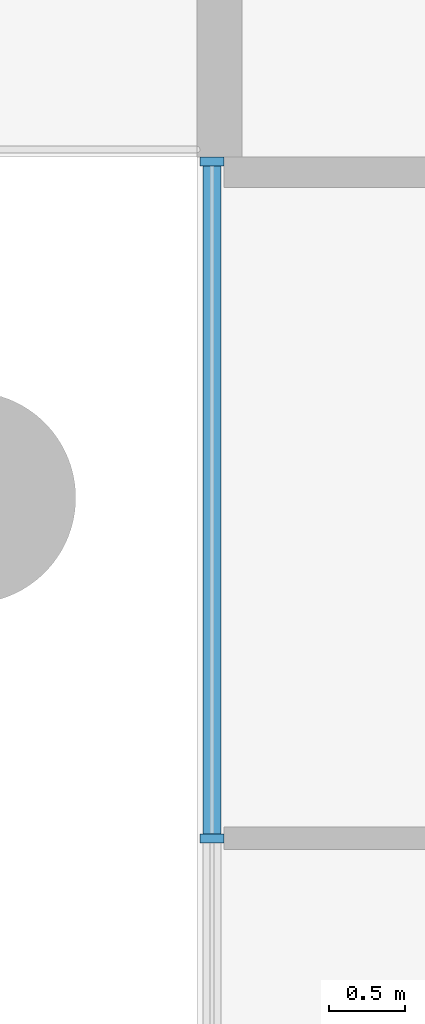
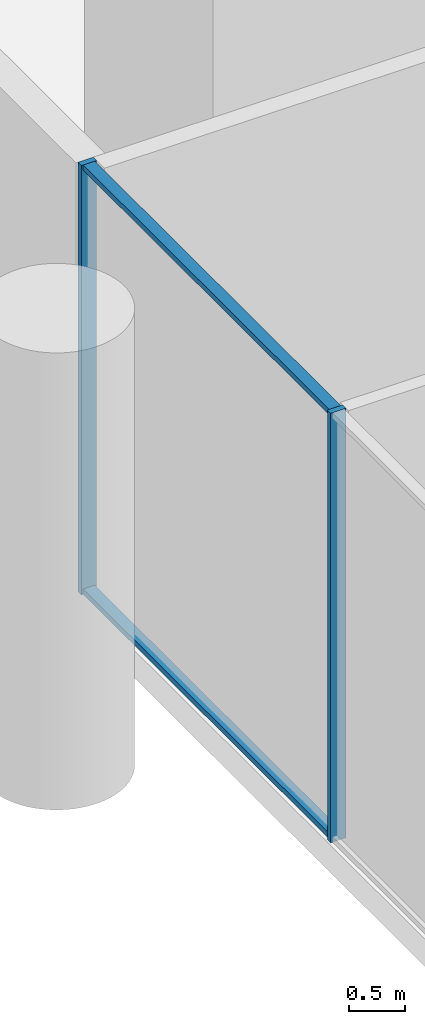
# One storey, part 7 of 22: 4 members, 1 element without a shape of its own.
"""IFC4 building model written with IfcOpenShell, lengths in metres."""

from ifc_helpers import new_model, si_unit, direction, frame, origin, origin_2d, place, context, subcontext, project, spatial, rectangle, extrude, material, layer, layer_set, material_profile, profile_set, type_object, element, aggregate, save


model = new_model("IFC4")

# Units and contexts
model_context = context("Model", 3, precision=1e-05, world=origin(), true_north=direction((0.0, 1.0)))
body_context = subcontext(model_context, "Body", "Model", "MODEL_VIEW")
ifc_project = project(units=[si_unit("LENGTHUNIT", "METRE"), si_unit("AREAUNIT", "SQUARE_METRE"), si_unit("VOLUMEUNIT", "CUBIC_METRE"), si_unit("PLANEANGLEUNIT", "RADIAN"), si_unit("MASSUNIT", "GRAM", prefix="KILO")], contexts=[model_context])

# Site, building, storey
site_placement = place(None, origin())
site = spatial("IfcSite", under=ifc_project, at=site_placement, CompositionType="ELEMENT")
building_placement = place(site_placement, origin())
building = spatial("IfcBuilding", under=site, at=building_placement, Name="Namib Vertical Campus", CompositionType="ELEMENT")
storey_placement = place(building_placement, frame((0.0, 0.0, 11.0)))
storey = spatial("IfcBuildingStorey", under=building, at=storey_placement, Name="L02", CompositionType="ELEMENT", Elevation=11.0)

# Curtain wall, members
ifc_material_1 = material(Name="Black aluminium curtain wall", Category="aluminium")
ifc_layer = layer(ifc_material_1, 0.199951171875)
ifc_layer_set = layer_set([ifc_layer], Name="Atrium screen curtain wall CW-AT")
curtain_wall_type = type_object("IfcCurtainWallType", Name="Atrium screen curtain wall CW-AT", PredefinedType="USERDEFINED", material=ifc_layer_set)
curtain_wall_placement = place(storey_placement, origin())
curtain_wall = element("IfcCurtainWall", 1, at=curtain_wall_placement, inside=storey, type_object=curtain_wall_type, Name="Curtain wall CW-AT atrium B L02 1", ObjectType="CURTAIN WALL", PredefinedType="USERDEFINED")
ifc_material_2 = material(Name="Black anodised aluminium", Category="aluminium")
ifc_material_profile_1 = material_profile(ifc_material_2, rectangle(XDim=0.06005859375, YDim=0.159912109375, at=origin_2d()))
ifc_profile_set_1 = profile_set([ifc_material_profile_1], Name="Black anodised aluminium")
member_type_1 = type_object("IfcMemberType", Name="Curtain wall mullion 60x160", PredefinedType="MULLION", material=ifc_profile_set_1)
member_1_placement = place(storey_placement, frame((63.10009765625, 27.0, 0.0), z_axis=(0.0, 0.0, 1.0), x_axis=(0.0, 1.0, 0.0)))
member_1 = element("IfcMember", 2, at=member_1_placement, type_object=member_type_1, Name="CW-AT mullion 5", PredefinedType="MULLION", context=body_context, shape_type="SweptSolid", body=[
    extrude(rectangle(XDim=0.06005859375, YDim=0.159912109375, at=origin_2d()), origin(), (0.0, 0.0, 1.0), 4.699951171875),
])
member_2_placement = place(storey_placement, frame((63.10009765625, 31.469970703125, 0.0), z_axis=(0.0, 0.0, 1.0), x_axis=(0.0, 1.0, 0.0)))
member_2 = element("IfcMember", 3, at=member_2_placement, type_object=member_type_1, Name="CW-AT mullion 6", PredefinedType="MULLION", context=body_context, shape_type="SweptSolid", body=[
    extrude(rectangle(XDim=0.06005859375, YDim=0.159912109375, at=origin_2d()), origin(), (0.0, 0.0, 1.0), 4.699951171875),
])
ifc_material_3 = material(Name="Black anodised aluminium", Category="aluminium")
ifc_material_profile_2 = material_profile(ifc_material_3, rectangle(XDim=0.06005859375, YDim=0.1201171875, at=origin_2d()))
ifc_profile_set_2 = profile_set([ifc_material_profile_2], Name="Black anodised aluminium")
member_type_2 = type_object("IfcMemberType", Name="Curtain wall transom 60x120", PredefinedType="USERDEFINED", material=ifc_profile_set_2)
member_3_placement = place(storey_placement, frame((63.10009765625, 27.030029296875, 0.030029296875), z_axis=(0.0, 1.0, 0.0), x_axis=(0.0, 0.0, 1.0)))
member_3 = element("IfcMember", 4, at=member_3_placement, type_object=member_type_2, Name="CW-AT transom 5.1", ObjectType="TRANSOM", PredefinedType="USERDEFINED", context=body_context, shape_type="SweptSolid", body=[
    extrude(rectangle(XDim=0.06005859375, YDim=0.1201171875, at=origin_2d()), origin(), (0.0, 0.0, 1.0), 4.409912109375),
])
member_4_placement = place(storey_placement, frame((63.10009765625, 27.030029296875, 4.669921875), z_axis=(0.0, 1.0, 0.0), x_axis=(0.0, 0.0, 1.0)))
member_4 = element("IfcMember", 5, at=member_4_placement, type_object=member_type_2, Name="CW-AT transom 5.2", ObjectType="TRANSOM", PredefinedType="USERDEFINED", context=body_context, shape_type="SweptSolid", body=[
    extrude(rectangle(XDim=0.06005859375, YDim=0.1201171875, at=origin_2d()), origin(), (0.0, 0.0, 1.0), 4.409912109375),
])
aggregate(curtain_wall, [member_1, member_2, member_3, member_4])

save(model, "model.ifc")
